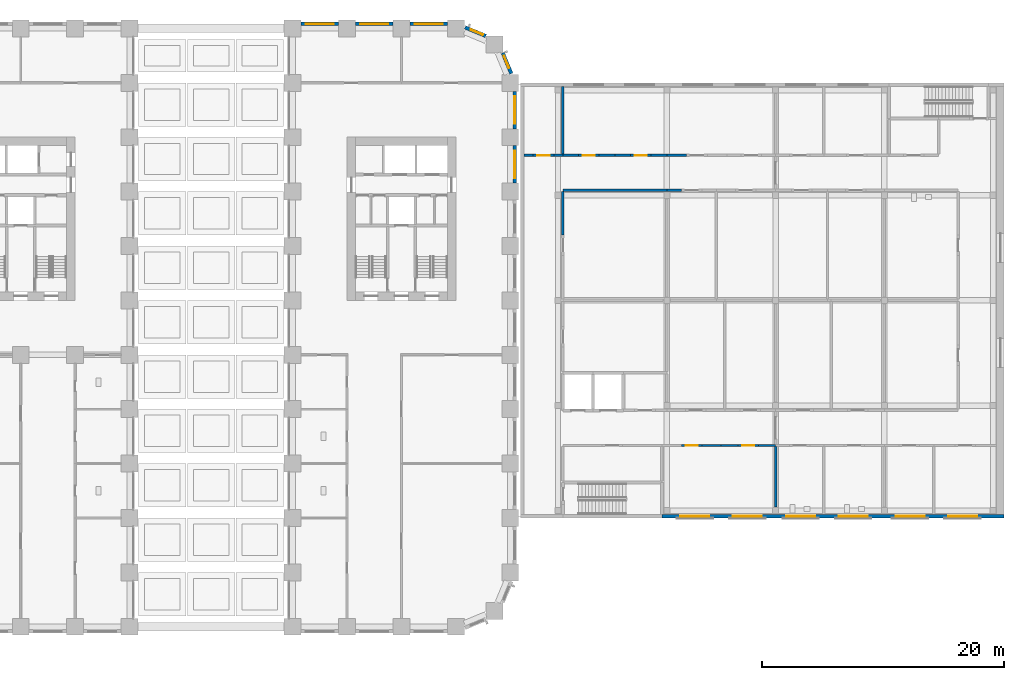
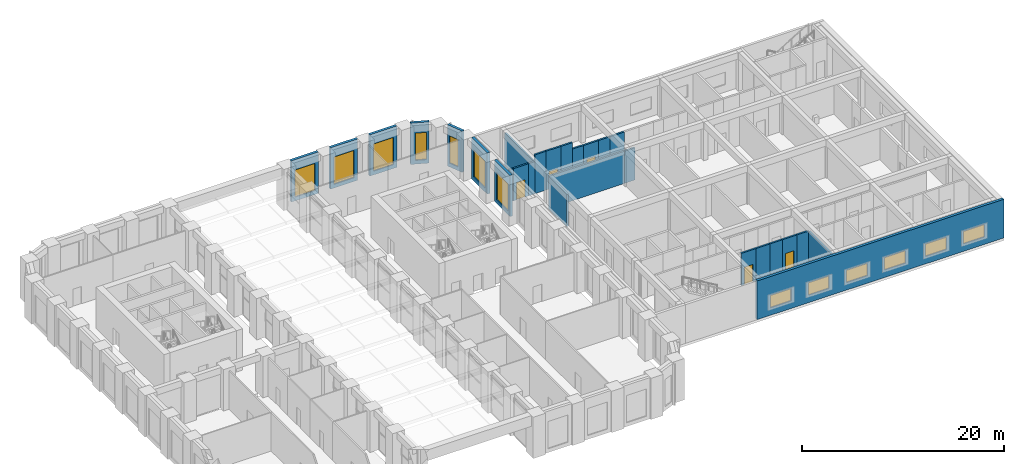
# One storey, part 13 of 24: 28 walls, 13 windows, 5 doors, 18 openings.
"""IFC4 building model written with IfcOpenShell, lengths in metres."""

from ifc_helpers import new_model, si_unit, direction, frame, frame_2d, origin, place, context, subcontext, project, spatial, rectangle, extrude, material, layer, layer_set, type_object, element, fill, save


model = new_model("IFC4")

# Units and contexts
model_context = context("Model", 3, precision=1e-05, world=origin(), true_north=direction((0.0, 1.0)))
body_context = subcontext(model_context, "Body", "Model", "MODEL_VIEW")
ifc_project = project(units=[si_unit("LENGTHUNIT", "METRE"), si_unit("AREAUNIT", "SQUARE_METRE"), si_unit("VOLUMEUNIT", "CUBIC_METRE"), si_unit("PLANEANGLEUNIT", "RADIAN"), si_unit("MASSUNIT", "GRAM", prefix="KILO")], contexts=[model_context])

# Site, building, storey
site_placement = place(None, origin())
site = spatial("IfcSite", under=ifc_project, at=site_placement, CompositionType="ELEMENT")
building_placement = place(site_placement, origin())
building = spatial("IfcBuilding", under=site, at=building_placement, Name="Girih Gate Residences", CompositionType="ELEMENT")
storey_placement = place(building_placement, frame((0.0, 0.0, 16.0)))
storey = spatial("IfcBuildingStorey", under=building, at=storey_placement, Name="L03", CompositionType="ELEMENT", Elevation=16.0)

# Wall, opening, door
ifc_material_1 = material(Name="Fire-rated gypsum partition")
ifc_layer_1 = layer(ifc_material_1, 0.199951171875)
ifc_layer_set_1 = layer_set([ifc_layer_1], Name="HC Corridor wall 200 EI 60")
wall_type_1 = type_object("IfcWallType", Name="HC Corridor wall 200 EI 60", PredefinedType="PARTITIONING", material=ifc_layer_set_1)
wall_1_placement = place(storey_placement, frame((65.35009765625, 15.0, 0.0), z_axis=(0.0, 0.0, 1.0), x_axis=(-1.0, 0.0, 0.0)))
wall_1 = element("IfcWall", 1, at=wall_1_placement, inside=storey, type_object=wall_type_1, Name="L03 wall x15.00/63.6", PredefinedType="PARTITIONING", context=body_context, shape_type="SweptSolid", body=[
    extrude(rectangle(XDim=1.7001953125, YDim=0.199951171875, at=frame_2d((0.85009765625, 0.0))), origin(), (0.0, 0.0, 1.0), 3.89990234375),
])
opening_1_placement = place(wall_1_placement, frame((0.35009765625, 0.0, 0.0)))
opening_1 = element("IfcOpeningElement", 2, at=opening_1_placement, cuts=wall_1, Name="Opening HC-L03-D08", PredefinedType="OPENING", context=body_context, shape_type="SweptSolid", body=[
    extrude(rectangle(XDim=1.0, YDim=2.10009765625, at=frame_2d((0.5, 1.050048828125))), frame((0.0, 0.10986328125, 0.0), z_axis=(0.0, -1.0, 0.0), x_axis=(1.0, 0.0, 0.0)), (0.0, 0.0, 1.0), 0.219970703125),
])
ifc_material_2 = material(Name="Timber door set", Category="wood")
door_type = type_object("IfcDoorType", Name="HC Door 1000x2100 FD30S", OperationType="NOTDEFINED", PredefinedType="DOOR", material=ifc_material_2)
door_1_placement = place(opening_1_placement, origin())
door_1 = element("IfcDoor", 3, at=door_1_placement, inside=storey, type_object=door_type, Name="L03 Dental surgery 1 door", OperationType="SINGLE_SWING_LEFT", OverallHeight=2.10009765625, OverallWidth=1.0, PredefinedType="DOOR", context=body_context, shape_type="SweptSolid", body=[
    extrude(rectangle(XDim=1.0, YDim=2.10009765625, at=frame_2d((0.5, 1.050048828125))), frame((0.0, 0.02490234375, 0.0), z_axis=(0.0, -1.0, 0.0), x_axis=(1.0, 0.0, 0.0)), (0.0, 0.0, 1.0), 0.050048828125),
])
fill(opening_1, door_1)

# Walls
wall_2_placement = place(storey_placement, frame((65.35009765625, 15.0, 0.0), z_axis=(0.0, 0.0, 1.0), x_axis=(1.0, 0.0, 0.0)))
element("IfcWall", 4, at=wall_2_placement, inside=storey, type_object=wall_type_1, Name="L03 wall x15.00/65.3", PredefinedType="PARTITIONING", context=body_context, shape_type="SweptSolid", body=[
    extrude(rectangle(XDim=1.599853515625, YDim=0.199951171875, at=frame_2d((0.7998046875, 0.0))), origin(), (0.0, 0.0, 1.0), 3.89990234375),
])
wall_3_placement = place(storey_placement, frame((66.949951171875, 15.0, 0.0), z_axis=(0.0, 0.0, 1.0), x_axis=(1.0, 0.0, 0.0)))
element("IfcWall", 5, at=wall_3_placement, inside=storey, type_object=wall_type_1, Name="L03 wall x15.00/67.0", PredefinedType="PARTITIONING", context=body_context, shape_type="SweptSolid", body=[
    extrude(rectangle(XDim=1.400146484375, YDim=0.199951171875, at=frame_2d((0.7001953125, 0.0))), origin(), (0.0, 0.0, 1.0), 3.89990234375),
])

# Wall, opening, door
wall_4_placement = place(storey_placement, frame((70.050048828125, 15.0, 0.0), z_axis=(0.0, 0.0, 1.0), x_axis=(-1.0, 0.0, 0.0)))
wall_4 = element("IfcWall", 6, at=wall_4_placement, inside=storey, type_object=wall_type_1, Name="L03 wall x15.00/68.4", PredefinedType="PARTITIONING", context=body_context, shape_type="SweptSolid", body=[
    extrude(rectangle(XDim=1.699951171875, YDim=0.199951171875, at=frame_2d((0.85009765625, 0.0))), origin(), (0.0, 0.0, 1.0), 3.89990234375),
])
opening_2_placement = place(wall_4_placement, frame((0.35009765625, 0.0, 0.0)))
opening_2 = element("IfcOpeningElement", 7, at=opening_2_placement, cuts=wall_4, Name="Opening HC-L03-D09", PredefinedType="OPENING", context=body_context, shape_type="SweptSolid", body=[
    extrude(rectangle(XDim=1.0, YDim=2.10009765625, at=frame_2d((0.5, 1.050048828125))), frame((0.0, 0.10986328125, 0.0), z_axis=(0.0, -1.0, 0.0), x_axis=(1.0, 0.0, 0.0)), (0.0, 0.0, 1.0), 0.219970703125),
])
door_2_placement = place(opening_2_placement, origin())
door_2 = element("IfcDoor", 8, at=door_2_placement, inside=storey, type_object=door_type, Name="L03 Dental surgery 2 door", OperationType="SINGLE_SWING_RIGHT", OverallHeight=2.10009765625, OverallWidth=1.0, PredefinedType="DOOR", context=body_context, shape_type="SweptSolid", body=[
    extrude(rectangle(XDim=1.0, YDim=2.10009765625, at=frame_2d((0.5, 1.050048828125))), frame((0.0, 0.02490234375, 0.0), z_axis=(0.0, -1.0, 0.0), x_axis=(1.0, 0.0, 0.0)), (0.0, 0.0, 1.0), 0.050048828125),
])
fill(opening_2, door_2)

# Walls
wall_5_placement = place(storey_placement, frame((70.050048828125, 15.0, 0.0), z_axis=(0.0, 0.0, 1.0), x_axis=(1.0, 0.0, 0.0)))
element("IfcWall", 9, at=wall_5_placement, inside=storey, type_object=wall_type_1, Name="L03 wall x15.00/70.0", PredefinedType="PARTITIONING", context=body_context, shape_type="SweptSolid", body=[
    extrude(rectangle(XDim=1.39990234375, YDim=0.199951171875, at=frame_2d((0.699951171875, 0.0))), origin(), (0.0, 0.0, 1.0), 3.89990234375),
])
wall_6_placement = place(storey_placement, frame((53.85009765625, 36.10009765625, 0.0), z_axis=(0.0, 0.0, 1.0), x_axis=(1.0, 0.0, 0.0)))
element("IfcWall", 10, at=wall_6_placement, inside=storey, type_object=wall_type_1, Name="L03 wall x36.10/53.9", PredefinedType="PARTITIONING", context=body_context, shape_type="SweptSolid", body=[
    extrude(rectangle(XDim=8.599853515625, YDim=0.199951171875, at=frame_2d((4.2998046875, 0.0))), origin(), (0.0, 0.0, 1.0), 3.89990234375),
])
wall_7_placement = place(storey_placement, frame((62.449951171875, 36.10009765625, 0.0), z_axis=(0.0, 0.0, 1.0), x_axis=(1.0, 0.0, 0.0)))
element("IfcWall", 11, at=wall_7_placement, inside=storey, type_object=wall_type_1, Name="L03 wall x36.10/62.5", PredefinedType="PARTITIONING", context=body_context, shape_type="SweptSolid", body=[
    extrude(rectangle(XDim=1.199951171875, YDim=0.199951171875, at=frame_2d((0.60009765625, 0.0))), origin(), (0.0, 0.0, 1.0), 3.89990234375),
])
wall_8_placement = place(storey_placement, frame((50.64990234375, 39.0, 0.0), z_axis=(0.0, 0.0, 1.0), x_axis=(1.0, 0.0, 0.0)))
element("IfcWall", 12, at=wall_8_placement, inside=storey, type_object=wall_type_1, Name="L03 wall x39.00/50.6", PredefinedType="PARTITIONING", context=body_context, shape_type="SweptSolid", body=[
    extrude(rectangle(XDim=0.75, YDim=0.199951171875, at=frame_2d((0.375, 0.0))), origin(), (0.0, 0.0, 1.0), 3.89990234375),
])

# Wall, opening, door
wall_9_placement = place(storey_placement, frame((51.39990234375, 39.0, 0.0), z_axis=(0.0, 0.0, 1.0), x_axis=(1.0, 0.0, 0.0)))
wall_9 = element("IfcWall", 13, at=wall_9_placement, inside=storey, type_object=wall_type_1, Name="L03 wall x39.00/51.4", PredefinedType="PARTITIONING", context=body_context, shape_type="SweptSolid", body=[
    extrude(rectangle(XDim=1.7001953125, YDim=0.199951171875, at=frame_2d((0.85009765625, 0.0))), origin(), (0.0, 0.0, 1.0), 3.89990234375),
])
opening_3_placement = place(wall_9_placement, frame((0.35009765625, 0.0, 0.0)))
opening_3 = element("IfcOpeningElement", 14, at=opening_3_placement, cuts=wall_9, Name="Opening HC-L03-D27", PredefinedType="OPENING", context=body_context, shape_type="SweptSolid", body=[
    extrude(rectangle(XDim=1.0, YDim=2.10009765625, at=frame_2d((0.5, 1.050048828125))), frame((0.0, 0.10986328125, 0.0), z_axis=(0.0, -1.0, 0.0), x_axis=(1.0, 0.0, 0.0)), (0.0, 0.0, 1.0), 0.219970703125),
])
door_3_placement = place(opening_3_placement, origin())
door_3 = element("IfcDoor", 15, at=door_3_placement, inside=storey, type_object=door_type, Name="L03 Therapy staff base door", OperationType="SINGLE_SWING_LEFT", OverallHeight=2.10009765625, OverallWidth=1.0, PredefinedType="DOOR", context=body_context, shape_type="SweptSolid", body=[
    extrude(rectangle(XDim=1.0, YDim=2.10009765625, at=frame_2d((0.5, 1.050048828125))), frame((0.0, 0.02490234375, 0.0), z_axis=(0.0, -1.0, 0.0), x_axis=(1.0, 0.0, 0.0)), (0.0, 0.0, 1.0), 0.050048828125),
])
fill(opening_3, door_3)

# Walls
wall_10_placement = place(storey_placement, frame((53.10009765625, 39.0, 0.0), z_axis=(0.0, 0.0, 1.0), x_axis=(1.0, 0.0, 0.0)))
element("IfcWall", 16, at=wall_10_placement, inside=storey, type_object=wall_type_1, Name="L03 wall x39.00/53.1", PredefinedType="PARTITIONING", context=body_context, shape_type="SweptSolid", body=[
    extrude(rectangle(XDim=0.75, YDim=0.199951171875, at=frame_2d((0.375, 0.0))), origin(), (0.0, 0.0, 1.0), 3.89990234375),
])
wall_11_placement = place(storey_placement, frame((53.85009765625, 39.0, 0.0), z_axis=(0.0, 0.0, 1.0), x_axis=(1.0, 0.0, 0.0)))
element("IfcWall", 17, at=wall_11_placement, inside=storey, type_object=wall_type_1, Name="L03 wall x39.00/53.9", PredefinedType="PARTITIONING", context=body_context, shape_type="SweptSolid", body=[
    extrude(rectangle(XDim=1.2998046875, YDim=0.199951171875, at=frame_2d((0.64990234375, 0.0))), origin(), (0.0, 0.0, 1.0), 4.699951171875),
])

# Wall, opening, door
wall_12_placement = place(storey_placement, frame((55.14990234375, 39.0, 0.0), z_axis=(0.0, 0.0, 1.0), x_axis=(1.0, 0.0, 0.0)))
wall_12 = element("IfcWall", 18, at=wall_12_placement, inside=storey, type_object=wall_type_1, Name="L03 wall x39.00/55.1", PredefinedType="PARTITIONING", context=body_context, shape_type="SweptSolid", body=[
    extrude(rectangle(XDim=1.7001953125, YDim=0.199951171875, at=frame_2d((0.85009765625, 0.0))), origin(), (0.0, 0.0, 1.0), 4.699951171875),
])
opening_4_placement = place(wall_12_placement, frame((0.35009765625, 0.0, 0.0)))
opening_4 = element("IfcOpeningElement", 19, at=opening_4_placement, cuts=wall_12, Name="Opening HC-L03-D28", PredefinedType="OPENING", context=body_context, shape_type="SweptSolid", body=[
    extrude(rectangle(XDim=1.0, YDim=2.10009765625, at=frame_2d((0.5, 1.050048828125))), frame((0.0, 0.10986328125, 0.0), z_axis=(0.0, -1.0, 0.0), x_axis=(1.0, 0.0, 0.0)), (0.0, 0.0, 1.0), 0.219970703125),
])
door_4_placement = place(opening_4_placement, origin())
door_4 = element("IfcDoor", 20, at=door_4_placement, inside=storey, type_object=door_type, Name="L03 Counselling room 3 door", OperationType="SINGLE_SWING_RIGHT", OverallHeight=2.10009765625, OverallWidth=1.0, PredefinedType="DOOR", context=body_context, shape_type="SweptSolid", body=[
    extrude(rectangle(XDim=1.0, YDim=2.10009765625, at=frame_2d((0.5, 1.050048828125))), frame((0.0, 0.02490234375, 0.0), z_axis=(0.0, -1.0, 0.0), x_axis=(1.0, 0.0, 0.0)), (0.0, 0.0, 1.0), 0.050048828125),
])
fill(opening_4, door_4)

# Walls
wall_13_placement = place(storey_placement, frame((56.85009765625, 39.0, 0.0), z_axis=(0.0, 0.0, 1.0), x_axis=(1.0, 0.0, 0.0)))
element("IfcWall", 21, at=wall_13_placement, inside=storey, type_object=wall_type_1, Name="L03 wall x39.00/56.9", PredefinedType="PARTITIONING", context=body_context, shape_type="SweptSolid", body=[
    extrude(rectangle(XDim=1.2998046875, YDim=0.199951171875, at=frame_2d((0.64990234375, 0.0))), origin(), (0.0, 0.0, 1.0), 4.699951171875),
])
wall_14_placement = place(storey_placement, frame((58.14990234375, 39.0, 0.0), z_axis=(0.0, 0.0, 1.0), x_axis=(1.0, 0.0, 0.0)))
element("IfcWall", 22, at=wall_14_placement, inside=storey, type_object=wall_type_1, Name="L03 wall x39.00/58.1", PredefinedType="PARTITIONING", context=body_context, shape_type="SweptSolid", body=[
    extrude(rectangle(XDim=1.300048828125, YDim=0.199951171875, at=frame_2d((0.64990234375, 0.0))), origin(), (0.0, 0.0, 1.0), 3.89990234375),
])

# Wall, opening, door
wall_15_placement = place(storey_placement, frame((59.449951171875, 39.0, 0.0), z_axis=(0.0, 0.0, 1.0), x_axis=(1.0, 0.0, 0.0)))
wall_15 = element("IfcWall", 23, at=wall_15_placement, inside=storey, type_object=wall_type_1, Name="L03 wall x39.00/59.4", PredefinedType="PARTITIONING", context=body_context, shape_type="SweptSolid", body=[
    extrude(rectangle(XDim=1.699951171875, YDim=0.199951171875, at=frame_2d((0.85009765625, 0.0))), origin(), (0.0, 0.0, 1.0), 3.89990234375),
])
opening_5_placement = place(wall_15_placement, frame((0.35009765625, 0.0, 0.0)))
opening_5 = element("IfcOpeningElement", 24, at=opening_5_placement, cuts=wall_15, Name="Opening HC-L03-D29", PredefinedType="OPENING", context=body_context, shape_type="SweptSolid", body=[
    extrude(rectangle(XDim=1.0, YDim=2.10009765625, at=frame_2d((0.5, 1.050048828125))), frame((0.0, 0.10986328125, 0.0), z_axis=(0.0, -1.0, 0.0), x_axis=(1.0, 0.0, 0.0)), (0.0, 0.0, 1.0), 0.219970703125),
])
door_5_placement = place(opening_5_placement, origin())
door_5 = element("IfcDoor", 25, at=door_5_placement, inside=storey, type_object=door_type, Name="L03 Counselling room 4 door", OperationType="SINGLE_SWING_LEFT", OverallHeight=2.10009765625, OverallWidth=1.0, PredefinedType="DOOR", context=body_context, shape_type="SweptSolid", body=[
    extrude(rectangle(XDim=1.0, YDim=2.10009765625, at=frame_2d((0.5, 1.050048828125))), frame((0.0, 0.02490234375, 0.0), z_axis=(0.0, -1.0, 0.0), x_axis=(1.0, 0.0, 0.0)), (0.0, 0.0, 1.0), 0.050048828125),
])
fill(opening_5, door_5)

# Walls
wall_16_placement = place(storey_placement, frame((61.14990234375, 39.0, 0.0), z_axis=(0.0, 0.0, 1.0), x_axis=(1.0, 0.0, 0.0)))
element("IfcWall", 26, at=wall_16_placement, inside=storey, type_object=wall_type_1, Name="L03 wall x39.00/61.1", PredefinedType="PARTITIONING", context=body_context, shape_type="SweptSolid", body=[
    extrude(rectangle(XDim=1.300048828125, YDim=0.199951171875, at=frame_2d((0.64990234375, 0.0))), origin(), (0.0, 0.0, 1.0), 3.89990234375),
])
wall_17_placement = place(storey_placement, frame((62.449951171875, 39.0, 0.0), z_axis=(0.0, 0.0, 1.0), x_axis=(1.0, 0.0, 0.0)))
element("IfcWall", 27, at=wall_17_placement, inside=storey, type_object=wall_type_1, Name="L03 wall x39.00/62.5", PredefinedType="PARTITIONING", context=body_context, shape_type="SweptSolid", body=[
    extrude(rectangle(XDim=1.650146484375, YDim=0.199951171875, at=frame_2d((0.8251953125, 0.0))), origin(), (0.0, 0.0, 1.0), 3.89990234375),
])
wall_18_placement = place(storey_placement, frame((53.85009765625, 32.39990234375, 0.0), z_axis=(0.0, 0.0, 1.0), x_axis=(0.0, 1.0, 0.0)))
element("IfcWall", 28, at=wall_18_placement, inside=storey, type_object=wall_type_1, Name="L03 wall y53.85/32.4", PredefinedType="PARTITIONING", context=body_context, shape_type="SweptSolid", body=[
    extrude(rectangle(XDim=3.60009765625, YDim=0.199951171875, at=frame_2d((1.800048828125, 0.0))), origin(), (0.0, 0.0, 1.0), 3.89990234375),
])

# Wall, openings, windows
ifc_material_3 = material(Name="Precast concrete C40/50", Category="concrete")
ifc_layer_2 = layer(ifc_material_3, 0.300048828125)
ifc_layer_set_2 = layer_set([ifc_layer_2], Name="HC Facade wall 300")
wall_type_2 = type_object("IfcWallType", Name="HC Facade wall 300", PredefinedType="SOLIDWALL", material=ifc_layer_set_2)
wall_19_placement = place(storey_placement, frame((90.35009765625, 9.14990234375, 0.0), z_axis=(0.0, 0.0, 1.0), x_axis=(-1.0, 0.0, 0.0)))
wall_19 = element("IfcWall", 29, at=wall_19_placement, inside=storey, type_object=wall_type_2, Name="L03 south facade wall", PredefinedType="SOLIDWALL", context=body_context, shape_type="SweptSolid", body=[
    extrude(rectangle(XDim=28.300048828125, YDim=0.300048828125, at=frame_2d((14.14990234375, 0.0))), origin(), (0.0, 0.0, 1.0), 4.699951171875),
])
opening_6_placement = place(wall_19_placement, frame((2.22509765625, 0.0, 0.89990234375)))
opening_6 = element("IfcOpeningElement", 30, at=opening_6_placement, cuts=wall_19, Name="Opening HC-W-L03-S06", PredefinedType="OPENING", context=body_context, shape_type="SweptSolid", body=[
    extrude(rectangle(XDim=2.39990234375, YDim=1.5, at=frame_2d((1.199951171875, 0.75))), frame((0.0, 0.159912109375, 0.0), z_axis=(0.0, -1.0, 0.0), x_axis=(1.0, 0.0, 0.0)), (0.0, 0.0, 1.0), 0.320068359375),
])
opening_7_placement = place(wall_19_placement, frame((6.574951171875, 0.0, 0.89990234375)))
opening_7 = element("IfcOpeningElement", 31, at=opening_7_placement, cuts=wall_19, Name="Opening HC-W-L03-S05", PredefinedType="OPENING", context=body_context, shape_type="SweptSolid", body=[
    extrude(rectangle(XDim=2.39990234375, YDim=1.5, at=frame_2d((1.199951171875, 0.75))), frame((0.0, 0.159912109375, 0.0), z_axis=(0.0, -1.0, 0.0), x_axis=(1.0, 0.0, 0.0)), (0.0, 0.0, 1.0), 0.320068359375),
])
opening_8_placement = place(wall_19_placement, frame((11.27490234375, 0.0, 0.89990234375)))
opening_8 = element("IfcOpeningElement", 32, at=opening_8_placement, cuts=wall_19, Name="Opening HC-W-L03-S04", PredefinedType="OPENING", context=body_context, shape_type="SweptSolid", body=[
    extrude(rectangle(XDim=2.39990234375, YDim=1.5, at=frame_2d((1.199951171875, 0.75))), frame((0.0, 0.159912109375, 0.0), z_axis=(0.0, -1.0, 0.0), x_axis=(1.0, 0.0, 0.0)), (0.0, 0.0, 1.0), 0.320068359375),
])
opening_9_placement = place(wall_19_placement, frame((15.625, 0.0, 0.89990234375)))
opening_9 = element("IfcOpeningElement", 33, at=opening_9_placement, cuts=wall_19, Name="Opening HC-W-L03-S03", PredefinedType="OPENING", context=body_context, shape_type="SweptSolid", body=[
    extrude(rectangle(XDim=2.39990234375, YDim=1.5, at=frame_2d((1.199951171875, 0.75))), frame((0.0, 0.159912109375, 0.0), z_axis=(0.0, -1.0, 0.0), x_axis=(1.0, 0.0, 0.0)), (0.0, 0.0, 1.0), 0.320068359375),
])
opening_10_placement = place(wall_19_placement, frame((20.02490234375, 0.0, 0.89990234375)))
opening_10 = element("IfcOpeningElement", 34, at=opening_10_placement, cuts=wall_19, Name="Opening HC-W-L03-S02", PredefinedType="OPENING", context=body_context, shape_type="SweptSolid", body=[
    extrude(rectangle(XDim=2.39990234375, YDim=1.5, at=frame_2d((1.199951171875, 0.75))), frame((0.0, 0.159912109375, 0.0), z_axis=(0.0, -1.0, 0.0), x_axis=(1.0, 0.0, 0.0)), (0.0, 0.0, 1.0), 0.320068359375),
])
opening_11_placement = place(wall_19_placement, frame((24.375, 0.0, 0.89990234375)))
opening_11 = element("IfcOpeningElement", 35, at=opening_11_placement, cuts=wall_19, Name="Opening HC-W-L03-S01", PredefinedType="OPENING", context=body_context, shape_type="SweptSolid", body=[
    extrude(rectangle(XDim=2.39990234375, YDim=1.5, at=frame_2d((1.199951171875, 0.75))), frame((0.0, 0.159912109375, 0.0), z_axis=(0.0, -1.0, 0.0), x_axis=(1.0, 0.0, 0.0)), (0.0, 0.0, 1.0), 0.320068359375),
])
ifc_material_4 = material(Name="Aluminium framed glazing", Category="aluminium")
window_type_1 = type_object("IfcWindowType", Name="HC Window W-4 2400x1500", PartitioningType="DOUBLE_PANEL_VERTICAL", PredefinedType="WINDOW", material=ifc_material_4)
window_1_placement = place(opening_6_placement, origin())
window_1 = element("IfcWindow", 36, at=window_1_placement, inside=storey, type_object=window_type_1, Name="L03 south window 6", OverallHeight=1.5, OverallWidth=2.39990234375, PartitioningType="DOUBLE_PANEL_VERTICAL", PredefinedType="WINDOW", context=body_context, shape_type="SweptSolid", body=[
    extrude(rectangle(XDim=2.39990234375, YDim=1.5, at=frame_2d((1.199951171875, 0.75))), frame((0.0, 0.030029296875, 0.0), z_axis=(0.0, -1.0, 0.0), x_axis=(1.0, 0.0, 0.0)), (0.0, 0.0, 1.0), 0.06005859375),
])
fill(opening_6, window_1)
window_2_placement = place(opening_7_placement, origin())
window_2 = element("IfcWindow", 37, at=window_2_placement, inside=storey, type_object=window_type_1, Name="L03 south window 5", OverallHeight=1.5, OverallWidth=2.39990234375, PartitioningType="DOUBLE_PANEL_VERTICAL", PredefinedType="WINDOW", context=body_context, shape_type="SweptSolid", body=[
    extrude(rectangle(XDim=2.39990234375, YDim=1.5, at=frame_2d((1.199951171875, 0.75))), frame((0.0, 0.030029296875, 0.0), z_axis=(0.0, -1.0, 0.0), x_axis=(1.0, 0.0, 0.0)), (0.0, 0.0, 1.0), 0.06005859375),
])
fill(opening_7, window_2)
window_3_placement = place(opening_8_placement, origin())
window_3 = element("IfcWindow", 38, at=window_3_placement, inside=storey, type_object=window_type_1, Name="L03 south window 4", OverallHeight=1.5, OverallWidth=2.39990234375, PartitioningType="DOUBLE_PANEL_VERTICAL", PredefinedType="WINDOW", context=body_context, shape_type="SweptSolid", body=[
    extrude(rectangle(XDim=2.39990234375, YDim=1.5, at=frame_2d((1.199951171875, 0.75))), frame((0.0, 0.030029296875, 0.0), z_axis=(0.0, -1.0, 0.0), x_axis=(1.0, 0.0, 0.0)), (0.0, 0.0, 1.0), 0.06005859375),
])
fill(opening_8, window_3)
window_4_placement = place(opening_9_placement, origin())
window_4 = element("IfcWindow", 39, at=window_4_placement, inside=storey, type_object=window_type_1, Name="L03 south window 3", OverallHeight=1.5, OverallWidth=2.39990234375, PartitioningType="DOUBLE_PANEL_VERTICAL", PredefinedType="WINDOW", context=body_context, shape_type="SweptSolid", body=[
    extrude(rectangle(XDim=2.39990234375, YDim=1.5, at=frame_2d((1.199951171875, 0.75))), frame((0.0, 0.030029296875, 0.0), z_axis=(0.0, -1.0, 0.0), x_axis=(1.0, 0.0, 0.0)), (0.0, 0.0, 1.0), 0.06005859375),
])
fill(opening_9, window_4)
window_5_placement = place(opening_10_placement, origin())
window_5 = element("IfcWindow", 40, at=window_5_placement, inside=storey, type_object=window_type_1, Name="L03 south window 2", OverallHeight=1.5, OverallWidth=2.39990234375, PartitioningType="DOUBLE_PANEL_VERTICAL", PredefinedType="WINDOW", context=body_context, shape_type="SweptSolid", body=[
    extrude(rectangle(XDim=2.39990234375, YDim=1.5, at=frame_2d((1.199951171875, 0.75))), frame((0.0, 0.030029296875, 0.0), z_axis=(0.0, -1.0, 0.0), x_axis=(1.0, 0.0, 0.0)), (0.0, 0.0, 1.0), 0.06005859375),
])
fill(opening_10, window_5)
window_6_placement = place(opening_11_placement, origin())
window_6 = element("IfcWindow", 41, at=window_6_placement, inside=storey, type_object=window_type_1, Name="L03 south window 1", OverallHeight=1.5, OverallWidth=2.39990234375, PartitioningType="DOUBLE_PANEL_VERTICAL", PredefinedType="WINDOW", context=body_context, shape_type="SweptSolid", body=[
    extrude(rectangle(XDim=2.39990234375, YDim=1.5, at=frame_2d((1.199951171875, 0.75))), frame((0.0, 0.030029296875, 0.0), z_axis=(0.0, -1.0, 0.0), x_axis=(1.0, 0.0, 0.0)), (0.0, 0.0, 1.0), 0.06005859375),
])
fill(opening_11, window_6)

# Walls
ifc_material_5 = material(Name="Gypsum partition")
ifc_layer_3 = layer(ifc_material_5, 0.199951171875)
ifc_layer_set_3 = layer_set([ifc_layer_3], Name="HC Room partition 200 EI 30")
wall_type_3 = type_object("IfcWallType", Name="HC Room partition 200 EI 30", PredefinedType="PARTITIONING", material=ifc_layer_set_3)
wall_20_placement = place(storey_placement, frame((53.85009765625, 39.10009765625, 0.0), z_axis=(0.0, 0.0, 1.0), x_axis=(0.0, 1.0, 0.0)))
element("IfcWall", 42, at=wall_20_placement, inside=storey, type_object=wall_type_3, Name="L03 wall y53.85/39.1", PredefinedType="PARTITIONING", context=body_context, shape_type="SweptSolid", body=[
    extrude(rectangle(XDim=5.599853515625, YDim=0.199951171875, at=frame_2d((2.7998046875, 0.0))), origin(), (0.0, 0.0, 1.0), 3.89990234375),
])
wall_21_placement = place(storey_placement, frame((71.449951171875, 9.89990234375, 0.0), z_axis=(0.0, 0.0, 1.0), x_axis=(0.0, 1.0, 0.0)))
element("IfcWall", 43, at=wall_21_placement, inside=storey, type_object=wall_type_3, Name="L03 wall y71.45/9.9", PredefinedType="PARTITIONING", context=body_context, shape_type="SweptSolid", body=[
    extrude(rectangle(XDim=5.0, YDim=0.199951171875, at=frame_2d((2.5, 0.0))), origin(), (0.0, 0.0, 1.0), 3.89990234375),
])

# Wall, opening, window
ifc_material_6 = material(Name="Precast concrete C50/60", Category="concrete")
ifc_layer_4 = layer(ifc_material_6, 0.080078125, Name="Outer leaf")
ifc_material_7 = material(Name="Rigid PIR insulation")
ifc_layer_5 = layer(ifc_material_7, 0.14990234375, Name="Insulation")
ifc_layer_6 = layer(ifc_material_3, 0.070068359375, Name="Inner leaf")
ifc_layer_set_4 = layer_set([ifc_layer_4, ifc_layer_5, ifc_layer_6], Name="Precast concrete C50/60 external wall 300")
wall_type_4 = type_object("IfcWallType", Name="Precast concrete C50/60 external wall 300", PredefinedType="SOLIDWALL", material=ifc_layer_set_4)
wall_22_placement = place(storey_placement, frame((49.875, 39.800048828125, 0.0), z_axis=(0.0, 0.0, 1.0), x_axis=(0.0, -1.0, 0.0)))
wall_22 = element("IfcWall", 44, at=wall_22_placement, inside=storey, type_object=wall_type_4, Name="External wall E0495_0045.7", PredefinedType="SOLIDWALL", context=body_context, shape_type="SweptSolid", body=[
    extrude(rectangle(XDim=3.10009765625, YDim=0.300048828125, at=frame_2d((1.550048828125, 0.0))), origin(), (0.0, 0.0, 1.0), 5.0),
])
opening_12_placement = place(wall_22_placement, frame((0.39990234375, 0.0, 0.449951171875)))
opening_12 = element("IfcOpeningElement", 45, at=opening_12_placement, cuts=wall_22, Name="Opening W-3", PredefinedType="OPENING", context=body_context, shape_type="SweptSolid", body=[
    extrude(rectangle(XDim=2.300048828125, YDim=3.300048828125, at=frame_2d((1.14990234375, 1.64990234375))), frame((0.0, 0.159912109375, 0.0), z_axis=(0.0, -1.0, 0.0), x_axis=(1.0, 0.0, 0.0)), (0.0, 0.0, 1.0), 0.320068359375),
])
ifc_material_8 = material(Name="Double glazing in aluminium frame", Category="aluminium")
window_type_2 = type_object("IfcWindowType", Name="Window W-3 2300x3300", PartitioningType="SINGLE_PANEL", PredefinedType="WINDOW", material=ifc_material_8)
window_7_placement = place(opening_12_placement, origin())
window_7 = element("IfcWindow", 46, at=window_7_placement, inside=storey, type_object=window_type_2, Name="Window W-3 E0495_0045.7", OverallHeight=3.300048828125, OverallWidth=2.300048828125, PartitioningType="SINGLE_PANEL", PredefinedType="WINDOW", context=body_context, shape_type="SweptSolid", body=[
    extrude(rectangle(XDim=2.300048828125, YDim=3.300048828125, at=frame_2d((1.14990234375, 1.64990234375))), frame((0.0, 0.030029296875, 0.0), z_axis=(0.0, -1.0, 0.0), x_axis=(1.0, 0.0, 0.0)), (0.0, 0.0, 1.0), 0.06005859375),
])
fill(opening_12, window_7)

wall_23_placement = place(storey_placement, frame((49.875, 44.300048828125, 0.0), z_axis=(0.0, 0.0, 1.0), x_axis=(0.0, -1.0, 0.0)))
wall_23 = element("IfcWall", 47, at=wall_23_placement, inside=storey, type_object=wall_type_4, Name="External wall E0495_0045.8", PredefinedType="SOLIDWALL", context=body_context, shape_type="SweptSolid", body=[
    extrude(rectangle(XDim=3.10009765625, YDim=0.300048828125, at=frame_2d((1.550048828125, 0.0))), origin(), (0.0, 0.0, 1.0), 5.0),
])
opening_13_placement = place(wall_23_placement, frame((0.39990234375, 0.0, 0.449951171875)))
opening_13 = element("IfcOpeningElement", 48, at=opening_13_placement, cuts=wall_23, Name="Opening W-3", PredefinedType="OPENING", context=body_context, shape_type="SweptSolid", body=[
    extrude(rectangle(XDim=2.300048828125, YDim=3.300048828125, at=frame_2d((1.14990234375, 1.64990234375))), frame((0.0, 0.159912109375, 0.0), z_axis=(0.0, -1.0, 0.0), x_axis=(1.0, 0.0, 0.0)), (0.0, 0.0, 1.0), 0.320068359375),
])
window_8_placement = place(opening_13_placement, origin())
window_8 = element("IfcWindow", 49, at=window_8_placement, inside=storey, type_object=window_type_2, Name="Window W-3 E0495_0045.8", OverallHeight=3.300048828125, OverallWidth=2.300048828125, PartitioningType="SINGLE_PANEL", PredefinedType="WINDOW", context=body_context, shape_type="SweptSolid", body=[
    extrude(rectangle(XDim=2.300048828125, YDim=3.300048828125, at=frame_2d((1.14990234375, 1.64990234375))), frame((0.0, 0.030029296875, 0.0), z_axis=(0.0, -1.0, 0.0), x_axis=(1.0, 0.0, 0.0)), (0.0, 0.0, 1.0), 0.06005859375),
])
fill(opening_13, window_8)

wall_24_placement = place(storey_placement, frame((48.87841796875, 47.48046875, 0.0), z_axis=(0.0, 0.0, 1.0), x_axis=(0.38262540684, -0.923903565336, 0.0)))
wall_24 = element("IfcWall", 50, at=wall_24_placement, inside=storey, type_object=wall_type_4, Name="External wall NE0495_0450.0", PredefinedType="SOLIDWALL", context=body_context, shape_type="SweptSolid", body=[
    extrude(rectangle(XDim=1.864990234375, YDim=0.300048828125, at=frame_2d((0.9326171875, 0.0))), origin(), (0.0, 0.0, 1.0), 5.0),
])
opening_14_placement = place(wall_24_placement, frame((0.257568359375, 0.0, 0.449951171875)))
opening_14 = element("IfcOpeningElement", 51, at=opening_14_placement, cuts=wall_24, Name="Opening W-2A", PredefinedType="OPENING", context=body_context, shape_type="SweptSolid", body=[
    extrude(rectangle(XDim=1.10009765625, YDim=3.300048828125, at=frame_2d((0.550048828125, 1.64990234375))), frame((0.0, 0.159912109375, 0.0), z_axis=(0.0, -1.0, 0.0), x_axis=(1.0, 0.0, 0.0)), (0.0, 0.0, 1.0), 0.320068359375),
])
window_type_3 = type_object("IfcWindowType", Name="Window W-2A 1100x3300", PartitioningType="SINGLE_PANEL", PredefinedType="WINDOW", material=ifc_material_8)
window_9_placement = place(opening_14_placement, origin())
window_9 = element("IfcWindow", 52, at=window_9_placement, inside=storey, type_object=window_type_3, Name="Window W-2A NE0495_0450.0", OverallHeight=3.300048828125, OverallWidth=1.10009765625, PartitioningType="SINGLE_PANEL", PredefinedType="WINDOW", context=body_context, shape_type="SweptSolid", body=[
    extrude(rectangle(XDim=1.10009765625, YDim=3.300048828125, at=frame_2d((0.550048828125, 1.64990234375))), frame((0.0, 0.030029296875, 0.0), z_axis=(0.0, -1.0, 0.0), x_axis=(1.0, 0.0, 0.0)), (0.0, 0.0, 1.0), 0.06005859375),
])
fill(opening_14, window_9)

wall_25_placement = place(storey_placement, frame((45.75732421875, 49.59228515625, 0.0), z_axis=(0.0, 0.0, 1.0), x_axis=(0.923857286003, -0.382737135771, 0.0)))
wall_25 = element("IfcWall", 53, at=wall_25_placement, inside=storey, type_object=wall_type_4, Name="External wall NE0482_0482.0", PredefinedType="SOLIDWALL", context=body_context, shape_type="SweptSolid", body=[
    extrude(rectangle(XDim=1.865234375, YDim=0.300048828125, at=frame_2d((0.9326171875, 0.0))), origin(), (0.0, 0.0, 1.0), 5.0),
])
opening_15_placement = place(wall_25_placement, frame((0.507568359375, 0.0, 0.449951171875)))
opening_15 = element("IfcOpeningElement", 54, at=opening_15_placement, cuts=wall_25, Name="Opening W-2A", PredefinedType="OPENING", context=body_context, shape_type="SweptSolid", body=[
    extrude(rectangle(XDim=1.10009765625, YDim=3.300048828125, at=frame_2d((0.550048828125, 1.64990234375))), frame((0.0, 0.159912109375, 0.0), z_axis=(0.0, -1.0, 0.0), x_axis=(1.0, 0.0, 0.0)), (0.0, 0.0, 1.0), 0.320068359375),
])
window_10_placement = place(opening_15_placement, origin())
window_10 = element("IfcWindow", 55, at=window_10_placement, inside=storey, type_object=window_type_3, Name="Window W-2A NE0482_0482.0", OverallHeight=3.300048828125, OverallWidth=1.10009765625, PartitioningType="SINGLE_PANEL", PredefinedType="WINDOW", context=body_context, shape_type="SweptSolid", body=[
    extrude(rectangle(XDim=1.10009765625, YDim=3.300048828125, at=frame_2d((0.550048828125, 1.64990234375))), frame((0.0, 0.030029296875, 0.0), z_axis=(0.0, -1.0, 0.0), x_axis=(1.0, 0.0, 0.0)), (0.0, 0.0, 1.0), 0.06005859375),
])
fill(opening_15, window_10)

wall_26_placement = place(storey_placement, frame((41.199951171875, 49.875, 0.0), z_axis=(0.0, 0.0, 1.0), x_axis=(1.0, 0.0, 0.0)))
wall_26 = element("IfcWall", 56, at=wall_26_placement, inside=storey, type_object=wall_type_4, Name="External wall N0450_0495.0", PredefinedType="SOLIDWALL", context=body_context, shape_type="SweptSolid", body=[
    extrude(rectangle(XDim=3.10009765625, YDim=0.300048828125, at=frame_2d((1.550048828125, 0.0))), origin(), (0.0, 0.0, 1.0), 5.0),
])
opening_16_placement = place(wall_26_placement, frame((0.39990234375, 0.0, 0.449951171875)))
opening_16 = element("IfcOpeningElement", 57, at=opening_16_placement, cuts=wall_26, Name="Opening W-3", PredefinedType="OPENING", context=body_context, shape_type="SweptSolid", body=[
    extrude(rectangle(XDim=2.300048828125, YDim=3.300048828125, at=frame_2d((1.14990234375, 1.64990234375))), frame((0.0, 0.159912109375, 0.0), z_axis=(0.0, -1.0, 0.0), x_axis=(1.0, 0.0, 0.0)), (0.0, 0.0, 1.0), 0.320068359375),
])
window_11_placement = place(opening_16_placement, origin())
window_11 = element("IfcWindow", 58, at=window_11_placement, inside=storey, type_object=window_type_2, Name="Window W-3 N0450_0495.0", OverallHeight=3.300048828125, OverallWidth=2.300048828125, PartitioningType="SINGLE_PANEL", PredefinedType="WINDOW", context=body_context, shape_type="SweptSolid", body=[
    extrude(rectangle(XDim=2.300048828125, YDim=3.300048828125, at=frame_2d((1.14990234375, 1.64990234375))), frame((0.0, 0.030029296875, 0.0), z_axis=(0.0, -1.0, 0.0), x_axis=(1.0, 0.0, 0.0)), (0.0, 0.0, 1.0), 0.06005859375),
])
fill(opening_16, window_11)

wall_27_placement = place(storey_placement, frame((36.699951171875, 49.875, 0.0), z_axis=(0.0, 0.0, 1.0), x_axis=(1.0, 0.0, 0.0)))
wall_27 = element("IfcWall", 59, at=wall_27_placement, inside=storey, type_object=wall_type_4, Name="External wall N0450_0495.1", PredefinedType="SOLIDWALL", context=body_context, shape_type="SweptSolid", body=[
    extrude(rectangle(XDim=3.10009765625, YDim=0.300048828125, at=frame_2d((1.550048828125, 0.0))), origin(), (0.0, 0.0, 1.0), 5.0),
])
opening_17_placement = place(wall_27_placement, frame((0.39990234375, 0.0, 0.449951171875)))
opening_17 = element("IfcOpeningElement", 60, at=opening_17_placement, cuts=wall_27, Name="Opening W-3", PredefinedType="OPENING", context=body_context, shape_type="SweptSolid", body=[
    extrude(rectangle(XDim=2.300048828125, YDim=3.300048828125, at=frame_2d((1.14990234375, 1.64990234375))), frame((0.0, 0.159912109375, 0.0), z_axis=(0.0, -1.0, 0.0), x_axis=(1.0, 0.0, 0.0)), (0.0, 0.0, 1.0), 0.320068359375),
])
window_12_placement = place(opening_17_placement, origin())
window_12 = element("IfcWindow", 61, at=window_12_placement, inside=storey, type_object=window_type_2, Name="Window W-3 N0450_0495.1", OverallHeight=3.300048828125, OverallWidth=2.300048828125, PartitioningType="SINGLE_PANEL", PredefinedType="WINDOW", context=body_context, shape_type="SweptSolid", body=[
    extrude(rectangle(XDim=2.300048828125, YDim=3.300048828125, at=frame_2d((1.14990234375, 1.64990234375))), frame((0.0, 0.030029296875, 0.0), z_axis=(0.0, -1.0, 0.0), x_axis=(1.0, 0.0, 0.0)), (0.0, 0.0, 1.0), 0.06005859375),
])
fill(opening_17, window_12)

wall_28_placement = place(storey_placement, frame((32.199951171875, 49.875, 0.0), z_axis=(0.0, 0.0, 1.0), x_axis=(1.0, 0.0, 0.0)))
wall_28 = element("IfcWall", 62, at=wall_28_placement, inside=storey, type_object=wall_type_4, Name="External wall N0450_0495.2", PredefinedType="SOLIDWALL", context=body_context, shape_type="SweptSolid", body=[
    extrude(rectangle(XDim=3.10009765625, YDim=0.300048828125, at=frame_2d((1.550048828125, 0.0))), origin(), (0.0, 0.0, 1.0), 5.0),
])
opening_18_placement = place(wall_28_placement, frame((0.39990234375, 0.0, 0.449951171875)))
opening_18 = element("IfcOpeningElement", 63, at=opening_18_placement, cuts=wall_28, Name="Opening W-3", PredefinedType="OPENING", context=body_context, shape_type="SweptSolid", body=[
    extrude(rectangle(XDim=2.300048828125, YDim=3.300048828125, at=frame_2d((1.14990234375, 1.64990234375))), frame((0.0, 0.159912109375, 0.0), z_axis=(0.0, -1.0, 0.0), x_axis=(1.0, 0.0, 0.0)), (0.0, 0.0, 1.0), 0.320068359375),
])
window_13_placement = place(opening_18_placement, origin())
window_13 = element("IfcWindow", 64, at=window_13_placement, inside=storey, type_object=window_type_2, Name="Window W-3 N0450_0495.2", OverallHeight=3.300048828125, OverallWidth=2.300048828125, PartitioningType="SINGLE_PANEL", PredefinedType="WINDOW", context=body_context, shape_type="SweptSolid", body=[
    extrude(rectangle(XDim=2.300048828125, YDim=3.300048828125, at=frame_2d((1.14990234375, 1.64990234375))), frame((0.0, 0.030029296875, 0.0), z_axis=(0.0, -1.0, 0.0), x_axis=(1.0, 0.0, 0.0)), (0.0, 0.0, 1.0), 0.06005859375),
])
fill(opening_18, window_13)

save(model, "model.ifc")
